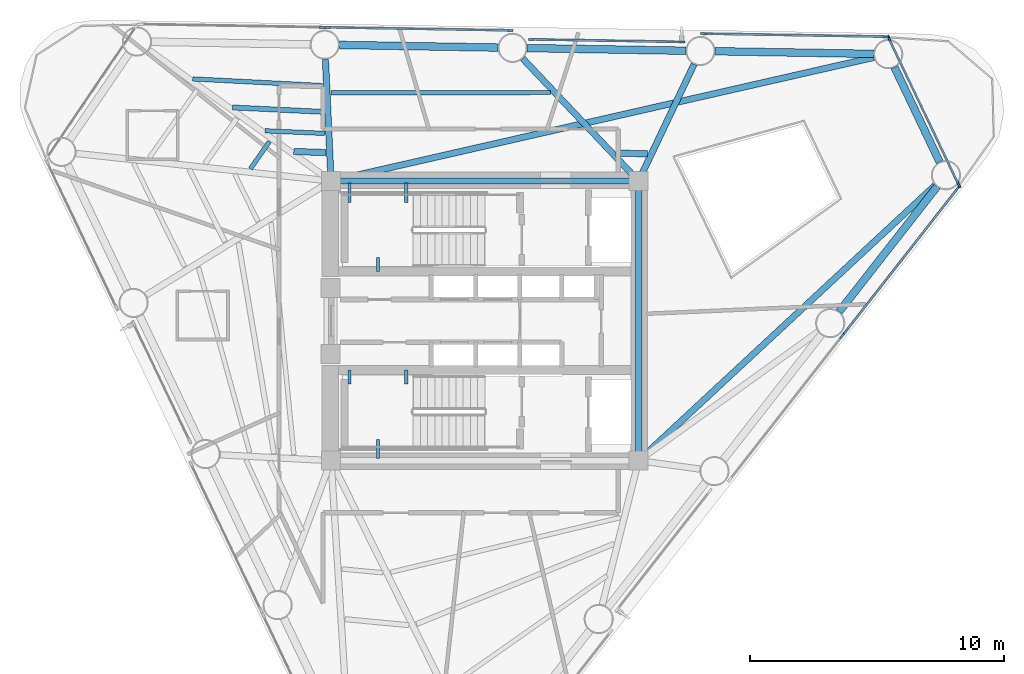
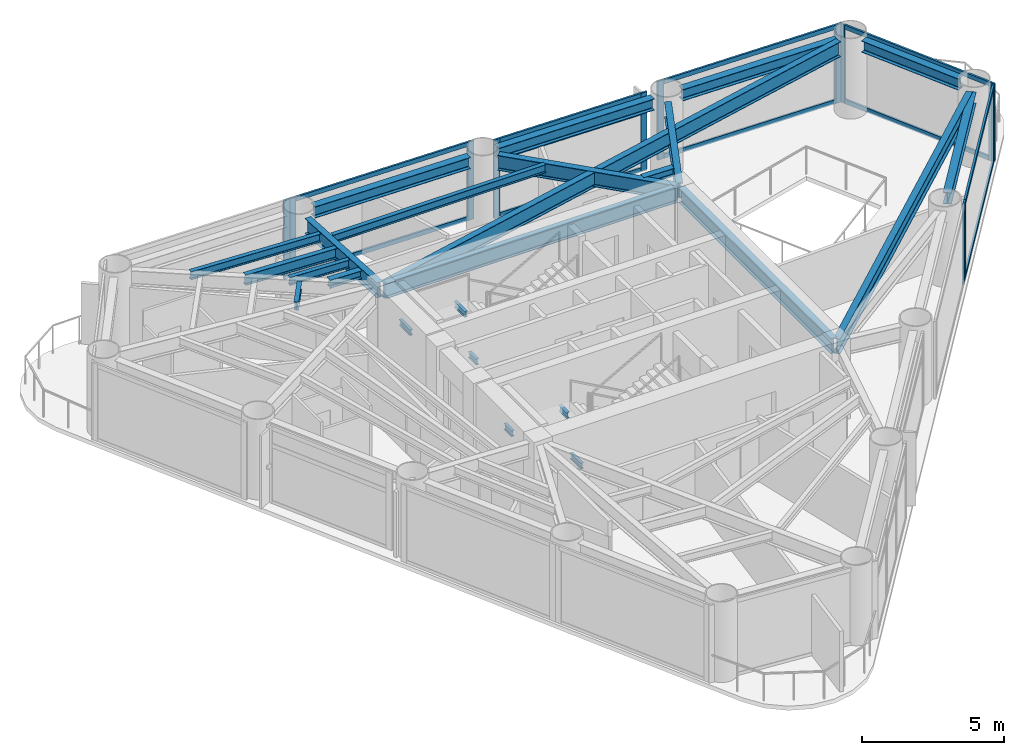
# One storey, part 3 of 9: 25 beams, 23 members, 7 elements without a shape of their own.
"""IFC4 building model written with IfcOpenShell, lengths in metres."""

from ifc_helpers import new_model, si_unit, direction, frame, origin, origin_2d, place, context, subcontext, project, spatial, rectangle, i_section, extrude, source, transform, mapped, material, layer, layer_set, material_profile, profile_set, type_object, element, aggregate, save


model = new_model("IFC4")

# Units and contexts
model_context = context("Model", 3, precision=1e-05, world=origin(), true_north=direction((0.0, 1.0)))
body_context = subcontext(model_context, "Body", "Model", "MODEL_VIEW")
ifc_project = project(units=[si_unit("LENGTHUNIT", "METRE"), si_unit("AREAUNIT", "SQUARE_METRE"), si_unit("VOLUMEUNIT", "CUBIC_METRE"), si_unit("PLANEANGLEUNIT", "RADIAN"), si_unit("MASSUNIT", "GRAM", prefix="KILO")], contexts=[model_context])

# Site, building, storey
site_placement = place(None, origin())
site = spatial("IfcSite", under=ifc_project, at=site_placement, CompositionType="ELEMENT")
building_placement = place(site_placement, origin())
building = spatial("IfcBuilding", under=site, at=building_placement, Name="Yunling Apex Tower", CompositionType="ELEMENT")
storey_placement = place(building_placement, frame((0.0, 0.0, 205.25)))
storey = spatial("IfcBuildingStorey", under=building, at=storey_placement, Name="L50", CompositionType="ELEMENT", Elevation=205.25)

# Beams
ifc_material_1 = material(Name="Steel Q355B", Category="steel")
ifc_material_profile_1 = material_profile(ifc_material_1, i_section(OverallWidth=0.125, OverallDepth=0.25, WebThickness=0.006103515625, FlangeThickness=0.009033203125, FilletRadius=0.011962890625, at=origin_2d()))
ifc_profile_set_1 = profile_set([ifc_material_profile_1], Name="Steel Q355B")
beam_type_1 = type_object("IfcBeamType", Name="BL-LNT-1", PredefinedType="LINTEL", material=ifc_profile_set_1)
shared_shape_1 = source(origin(), body_context, "Body", "SweptSolid", [
    extrude(i_section(OverallWidth=0.125, OverallDepth=0.25, WebThickness=0.006103515625, FlangeThickness=0.009033203125, FilletRadius=0.011962890625, at=origin_2d()), origin(), (0.0, 0.0, 1.0), 0.760009765625),
])
for number, where, z_axis, x_axis, name in (
    (1, (-5.320068359375, 5.419921875, 1.405029296875), (0.0, -1.0, 0.0), (1.0, 0.0, 0.0), "L50 ST-1 Landing Bearing Corbel 1-1"),
    (2, (-3.090087890625, 5.419921875, 1.405029296875), (0.0, -1.0, 0.0), (1.0, 0.0, 0.0), "L50 ST-1 Landing Bearing Corbel 1-2"),
    (3, (-4.205078125, -5.419921875, 1.405029296875), (0.0, 1.0, 0.0), (-1.0, 0.0, 0.0), "L50 ST-2 Landing Bearing Corbel 1-3"),
):
    element("IfcBeam", number, at=place(storey_placement, frame(where, z_axis=z_axis, x_axis=x_axis)), inside=storey, type_object=beam_type_1, Name=name, PredefinedType="LINTEL", context=body_context, shape_type="MappedRepresentation", body=[
        mapped(shared_shape_1, transform((0.0, 0.0, 0.0), scale=1.0)),
    ])
shared_shape_2 = source(origin(), body_context, "Body", "SweptSolid", [
    extrude(i_section(OverallWidth=0.125, OverallDepth=0.25, WebThickness=0.006103515625, FlangeThickness=0.009033203125, FilletRadius=0.011962890625, at=origin_2d()), origin(), (0.0, 0.0, 1.0), 0.550048828125),
])
for number, where, z_axis, x_axis, name in (
    (4, (-4.205078125, 1.93994140625, 1.405029296875), (0.0, 1.0, 0.0), (-1.0, 0.0, 0.0), "L50 ST-1 Landing Bearing Corbel 1-3"),
    (5, (-5.320068359375, -1.93994140625, 1.405029296875), (0.0, -1.0, 0.0), (1.0, 0.0, 0.0), "L50 ST-2 Landing Bearing Corbel 1-1"),
    (6, (-3.090087890625, -1.93994140625, 1.405029296875), (0.0, -1.0, 0.0), (1.0, 0.0, 0.0), "L50 ST-2 Landing Bearing Corbel 1-2"),
):
    element("IfcBeam", number, at=place(storey_placement, frame(where, z_axis=z_axis, x_axis=x_axis)), inside=storey, type_object=beam_type_1, Name=name, PredefinedType="LINTEL", context=body_context, shape_type="MappedRepresentation", body=[
        mapped(shared_shape_2, transform((0.0, 0.0, 0.0), scale=1.0)),
    ])
ifc_material_profile_2 = material_profile(ifc_material_1, i_section(OverallWidth=0.25, OverallDepth=0.64990234375, WebThickness=0.011962890625, FlangeThickness=0.02001953125, FilletRadius=0.02392578125, at=origin_2d()))
ifc_profile_set_2 = profile_set([ifc_material_profile_2], Name="Steel Q355B")
beam_type_2 = type_object("IfcBeamType", Name="BG-PRI-4", PredefinedType="USERDEFINED", material=ifc_profile_set_2)
shared_shape_3 = source(origin(), body_context, "Body", "SweptSolid", [
    extrude(i_section(OverallWidth=0.25, OverallDepth=0.64990234375, WebThickness=0.011962890625, FlangeThickness=0.02001953125, FilletRadius=0.02392578125, at=origin_2d()), origin(), (0.0, 0.0, 1.0), 11.7998046875),
])
beam_1_placement = place(storey_placement, frame((5.89990234375, 5.5, 2.945068359375), z_axis=(-1.0, 0.0, 0.0), x_axis=(0.0, -1.0, 0.0)))
element("IfcBeam", 7, at=beam_1_placement, inside=storey, type_object=beam_type_2, Name="L50 Core Ring Tie Beam 3", ObjectType="GIRDER", PredefinedType="USERDEFINED", context=body_context, shape_type="MappedRepresentation", body=[
    mapped(shared_shape_3, transform((0.0, 0.0, 0.0), scale=1.0)),
])
shared_shape_4 = source(origin(), body_context, "Body", "SweptSolid", [
    extrude(i_section(OverallWidth=0.25, OverallDepth=0.64990234375, WebThickness=0.011962890625, FlangeThickness=0.02001953125, FilletRadius=0.02392578125, at=origin_2d()), origin(), (0.0, 0.0, 1.0), 10.7001953125),
])
beam_2_placement = place(storey_placement, frame((6.050048828125, -5.35009765625, 2.945068359375), z_axis=(0.0, 1.0, 0.0), x_axis=(-1.0, 0.0, 0.0)))
element("IfcBeam", 8, at=beam_2_placement, inside=storey, type_object=beam_type_2, Name="L50 Core Ring Tie Beam 2", ObjectType="GIRDER", PredefinedType="USERDEFINED", context=body_context, shape_type="MappedRepresentation", body=[
    mapped(shared_shape_4, transform((0.0, 0.0, 0.0), scale=1.0)),
])
ifc_material_profile_3 = material_profile(ifc_material_1, i_section(OverallWidth=0.300048828125, OverallDepth=0.489990234375, WebThickness=0.010986328125, FlangeThickness=0.01806640625, FilletRadius=0.02197265625, at=origin_2d()))
ifc_profile_set_3 = profile_set([ifc_material_profile_3], Name="Steel Q355B")
beam_type_3 = type_object("IfcBeamType", Name="BP-SPN-2", PredefinedType="SPANDREL", material=ifc_profile_set_3)
shared_shape_5 = source(origin(), body_context, "Body", "SweptSolid", [
    extrude(i_section(OverallWidth=0.300048828125, OverallDepth=0.489990234375, WebThickness=0.010986328125, FlangeThickness=0.01806640625, FilletRadius=0.02197265625, at=origin_2d()), origin(), (0.0, 0.0, 1.0), 6.252685546875),
])
beam_3_placement = place(storey_placement, frame((13.940185546875, 0.35791015625, 3.02490234375), z_axis=(0.616211399259, 0.787580796759, 0.0), x_axis=(-0.787580796759, 0.616211399259, 0.0)))
element("IfcBeam", 9, at=beam_3_placement, inside=storey, type_object=beam_type_3, Name="L50 Perimeter Spandrel Beam 4", PredefinedType="SPANDREL", context=body_context, shape_type="MappedRepresentation", body=[
    mapped(shared_shape_5, transform((0.0, 0.0, 0.0), scale=1.0)),
])
shared_shape_6 = source(origin(), body_context, "Body", "SweptSolid", [
    extrude(i_section(OverallWidth=0.300048828125, OverallDepth=0.489990234375, WebThickness=0.010986328125, FlangeThickness=0.01806640625, FilletRadius=0.02197265625, at=origin_2d()), origin(), (0.0, 0.0, 1.0), 6.253173828125),
])
for number, where, z_axis, x_axis, name in (
    (10, (15.302978515625, 10.50341796875, 3.02490234375), (-0.999859061432, 0.016788605428, 0.0), (-0.016788605428, -0.999859061432, 0.0), "L50 Perimeter Spandrel Beam 6"),
    (11, (7.9130859375, 10.627197265625, 3.02490234375), (-0.999859061432, 0.016788605428, 0.0), (-0.016788605428, -0.999859061432, 0.0), "L50 Perimeter Spandrel Beam 7"),
    (12, (0.523193359375, 10.751220703125, 3.02490234375), (-0.99985971606, 0.016749573126, 0.0), (-0.016749573126, -0.99985971606, 0.0), "L50 Perimeter Spandrel Beam 8"),
):
    element("IfcBeam", number, at=place(storey_placement, frame(where, z_axis=z_axis, x_axis=x_axis)), inside=storey, type_object=beam_type_3, Name=name, PredefinedType="SPANDREL", context=body_context, shape_type="MappedRepresentation", body=[
        mapped(shared_shape_6, transform((0.0, 0.0, 0.0), scale=1.0)),
    ])
shared_shape_7 = source(origin(), body_context, "Body", "SweptSolid", [
    extrude(i_section(OverallWidth=0.300048828125, OverallDepth=0.489990234375, WebThickness=0.010986328125, FlangeThickness=0.01806640625, FilletRadius=0.02197265625, at=origin_2d()), origin(), (0.0, 0.0, 1.0), 4.139404296875),
])
beam_4_placement = place(storey_placement, frame((17.898681640625, 6.244140625, 3.02490234375), z_axis=(-0.430503573335, 0.902588872824, 0.0), x_axis=(-0.902588872824, -0.430503573335, 0.0)))
element("IfcBeam", 13, at=beam_4_placement, inside=storey, type_object=beam_type_3, Name="L50 Perimeter Spandrel Beam 5", PredefinedType="SPANDREL", context=body_context, shape_type="MappedRepresentation", body=[
    mapped(shared_shape_7, transform((0.0, 0.0, 0.0), scale=1.0)),
])
shared_shape_8 = source(origin(), body_context, "Body", "SweptSolid", [
    extrude(i_section(OverallWidth=0.25, OverallDepth=0.64990234375, WebThickness=0.011962890625, FlangeThickness=0.02001953125, FilletRadius=0.02392578125, at=origin_2d()), origin(), (0.0, 0.0, 1.0), 15.841064453125),
])
beam_5_placement = place(storey_placement, frame((17.716552734375, 5.333984375, 2.945068359375), z_axis=(-0.732769338977, -0.680477108986, 0.0), x_axis=(0.680477108986, -0.732769338977, 0.0)))
element("IfcBeam", 14, at=beam_5_placement, inside=storey, type_object=beam_type_2, Name="L50 Radial Primary Girder R05", ObjectType="GIRDER", PredefinedType="USERDEFINED", context=body_context, shape_type="MappedRepresentation", body=[
    mapped(shared_shape_8, transform((0.0, 0.0, 0.0), scale=1.0)),
])
shared_shape_9 = source(origin(), body_context, "Body", "SweptSolid", [
    extrude(i_section(OverallWidth=0.25, OverallDepth=0.64990234375, WebThickness=0.011962890625, FlangeThickness=0.02001953125, FilletRadius=0.02392578125, at=origin_2d()), origin(), (0.0, 0.0, 1.0), 21.820556640625),
])
beam_6_placement = place(storey_placement, frame((15.303466796875, 10.364501953125, 2.945068359375), z_axis=(-0.975020184512, -0.222116275394, 0.0), x_axis=(0.222116275394, -0.975020184512, 0.0)))
element("IfcBeam", 15, at=beam_6_placement, inside=storey, type_object=beam_type_2, Name="L50 Radial Primary Girder R06", ObjectType="GIRDER", PredefinedType="USERDEFINED", context=body_context, shape_type="MappedRepresentation", body=[
    mapped(shared_shape_9, transform((0.0, 0.0, 0.0), scale=1.0)),
])
shared_shape_10 = source(origin(), body_context, "Body", "SweptSolid", [
    extrude(i_section(OverallWidth=0.25, OverallDepth=0.64990234375, WebThickness=0.011962890625, FlangeThickness=0.02001953125, FilletRadius=0.02392578125, at=origin_2d()), origin(), (0.0, 0.0, 1.0), 5.00341796875),
])
beam_7_placement = place(storey_placement, frame((8.231689453125, 10.09130859375, 2.945068359375), z_axis=(-0.429206106824, -0.903206575411, 0.0), x_axis=(0.903206575411, -0.429206106824, 0.0)))
element("IfcBeam", 16, at=beam_7_placement, inside=storey, type_object=beam_type_2, Name="L50 Radial Primary Girder R07", ObjectType="GIRDER", PredefinedType="USERDEFINED", context=body_context, shape_type="MappedRepresentation", body=[
    mapped(shared_shape_10, transform((0.0, 0.0, 0.0), scale=1.0)),
])
shared_shape_11 = source(origin(), body_context, "Body", "SweptSolid", [
    extrude(i_section(OverallWidth=0.25, OverallDepth=0.64990234375, WebThickness=0.011962890625, FlangeThickness=0.02001953125, FilletRadius=0.02392578125, at=origin_2d()), origin(), (0.0, 0.0, 1.0), 6.552001953125),
])
beam_8_placement = place(storey_placement, frame((1.49267578125, 10.318115234375, 2.945068359375), z_axis=(0.687178062581, -0.726489029723, 0.0), x_axis=(0.726489029723, 0.687178062581, 0.0)))
element("IfcBeam", 17, at=beam_8_placement, inside=storey, type_object=beam_type_2, Name="L50 Radial Primary Girder R08", ObjectType="GIRDER", PredefinedType="USERDEFINED", context=body_context, shape_type="MappedRepresentation", body=[
    mapped(shared_shape_11, transform((0.0, 0.0, 0.0), scale=1.0)),
])
shared_shape_12 = source(origin(), body_context, "Body", "SweptSolid", [
    extrude(i_section(OverallWidth=0.25, OverallDepth=0.64990234375, WebThickness=0.011962890625, FlangeThickness=0.02001953125, FilletRadius=0.02392578125, at=origin_2d()), origin(), (0.0, 0.0, 1.0), 4.70849609375),
])
beam_9_placement = place(storey_placement, frame((-6.27099609375, 10.283203125, 2.945068359375), z_axis=(0.046148548326, -0.998934588193, 0.0), x_axis=(0.998934588193, 0.046148548326, 0.0)))
element("IfcBeam", 18, at=beam_9_placement, inside=storey, type_object=beam_type_2, Name="L50 Radial Primary Girder R09", ObjectType="GIRDER", PredefinedType="USERDEFINED", context=body_context, shape_type="MappedRepresentation", body=[
    mapped(shared_shape_12, transform((0.0, 0.0, 0.0), scale=1.0)),
])
ifc_material_profile_4 = material_profile(ifc_material_1, i_section(OverallWidth=0.25, OverallDepth=0.340087890625, WebThickness=0.009033203125, FlangeThickness=0.013916015625, FilletRadius=0.01806640625, at=origin_2d()))
ifc_profile_set_4 = profile_set([ifc_material_profile_4], Name="Steel Q355B")
beam_type_4 = type_object("IfcBeamType", Name="BJ-JST-2", PredefinedType="JOIST", material=ifc_profile_set_4)
shared_shape_13 = source(origin(), body_context, "Body", "SweptSolid", [
    extrude(i_section(OverallWidth=0.25, OverallDepth=0.340087890625, WebThickness=0.009033203125, FlangeThickness=0.013916015625, FilletRadius=0.01806640625, at=origin_2d()), origin(), (0.0, 0.0, 1.0), 1.23291015625),
])
beam_10_placement = place(storey_placement, frame((6.396728515625, 6.570556640625, 3.10009765625), z_axis=(-0.999688635189, 0.024952608565, 0.0), x_axis=(-0.024952608565, -0.999688635189, 0.0)))
element("IfcBeam", 19, at=beam_10_placement, inside=storey, type_object=beam_type_4, Name="L50 Composite Floor Joist BJ2-7", PredefinedType="JOIST", context=body_context, shape_type="MappedRepresentation", body=[
    mapped(shared_shape_13, transform((0.0, 0.0, 0.0), scale=1.0)),
])
ifc_material_profile_5 = material_profile(ifc_material_1, i_section(OverallWidth=0.175048828125, OverallDepth=0.35009765625, WebThickness=0.007080078125, FlangeThickness=0.010986328125, FilletRadius=0.013916015625, at=origin_2d()))
ifc_profile_set_5 = profile_set([ifc_material_profile_5], Name="Steel Q355B")
beam_type_5 = type_object("IfcBeamType", Name="BJ-JST-1", PredefinedType="JOIST", material=ifc_profile_set_5)
shared_shape_14 = source(origin(), body_context, "Body", "SweptSolid", [
    extrude(i_section(OverallWidth=0.175048828125, OverallDepth=0.35009765625, WebThickness=0.007080078125, FlangeThickness=0.010986328125, FilletRadius=0.013916015625, at=origin_2d()), origin(), (0.0, 0.0, 1.0), 8.643310546875),
])
beam_11_placement = place(storey_placement, frame((2.59326171875, 8.985107421875, 3.094970703125), z_axis=(-0.999997695824, -0.002146705784, 0.0), x_axis=(0.002146705784, -0.999997695824, 0.0)))
element("IfcBeam", 20, at=beam_11_placement, inside=storey, type_object=beam_type_5, Name="L50 Composite Floor Joist BJ1-8", PredefinedType="JOIST", context=body_context, shape_type="MappedRepresentation", body=[
    mapped(shared_shape_14, transform((0.0, 0.0, 0.0), scale=1.0)),
])
ifc_material_profile_6 = material_profile(ifc_material_1, i_section(OverallWidth=0.199951171875, OverallDepth=0.449951171875, WebThickness=0.009033203125, FlangeThickness=0.013916015625, FilletRadius=0.01806640625, at=origin_2d()))
ifc_profile_set_6 = profile_set([ifc_material_profile_6], Name="Steel Q355B")
beam_type_6 = type_object("IfcBeamType", Name="BS-SEC-3", PredefinedType="BEAM", material=ifc_profile_set_6)
shared_shape_15 = source(origin(), body_context, "Body", "SweptSolid", [
    extrude(i_section(OverallWidth=0.199951171875, OverallDepth=0.449951171875, WebThickness=0.009033203125, FlangeThickness=0.013916015625, FilletRadius=0.01806640625, at=origin_2d()), origin(), (0.0, 0.0, 1.0), 3.599853515625),
])
beam_12_placement = place(storey_placement, frame((-6.335205078125, 8.221435546875, 3.044921875), z_axis=(-0.998820387083, 0.048557536471, 0.0), x_axis=(-0.048557536471, -0.998820387083, 0.0)))
element("IfcBeam", 21, at=beam_12_placement, inside=storey, type_object=beam_type_6, Name="L50 Composite Floor Beam BS-9", PredefinedType="BEAM", context=body_context, shape_type="MappedRepresentation", body=[
    mapped(shared_shape_15, transform((0.0, 0.0, 0.0), scale=1.0)),
])
shared_shape_16 = source(origin(), body_context, "Body", "SweptSolid", [
    extrude(i_section(OverallWidth=0.175048828125, OverallDepth=0.35009765625, WebThickness=0.007080078125, FlangeThickness=0.010986328125, FilletRadius=0.013916015625, at=origin_2d()), origin(), (0.0, 0.0, 1.0), 5.116455078125),
])
beam_13_placement = place(storey_placement, frame((-6.3828125, 9.256591796875, 3.094970703125), z_axis=(-0.998690915519, 0.051151297728, 0.0), x_axis=(-0.051151297728, -0.998690915519, 0.0)))
element("IfcBeam", 22, at=beam_13_placement, inside=storey, type_object=beam_type_5, Name="L50 Composite Floor Joist BJ1-9", PredefinedType="JOIST", context=body_context, shape_type="MappedRepresentation", body=[
    mapped(shared_shape_16, transform((0.0, 0.0, 0.0), scale=1.0)),
])
shared_shape_17 = source(origin(), body_context, "Body", "SweptSolid", [
    extrude(i_section(OverallWidth=0.175048828125, OverallDepth=0.35009765625, WebThickness=0.007080078125, FlangeThickness=0.010986328125, FilletRadius=0.013916015625, at=origin_2d()), origin(), (0.0, 0.0, 1.0), 2.35888671875),
])
beam_14_placement = place(storey_placement, frame((-6.296142578125, 7.374267578125, 3.094970703125), z_axis=(-0.999023067934, 0.044191738321, 0.0), x_axis=(-0.044191738321, -0.999023067934, 0.0)))
element("IfcBeam", 23, at=beam_14_placement, inside=storey, type_object=beam_type_5, Name="L50 Composite Floor Joist BJ3-9", PredefinedType="JOIST", context=body_context, shape_type="MappedRepresentation", body=[
    mapped(shared_shape_17, transform((0.0, 0.0, 0.0), scale=1.0)),
])
shared_shape_18 = source(origin(), body_context, "Body", "SweptSolid", [
    extrude(i_section(OverallWidth=0.25, OverallDepth=0.340087890625, WebThickness=0.009033203125, FlangeThickness=0.013916015625, FilletRadius=0.01806640625, at=origin_2d()), origin(), (0.0, 0.0, 1.0), 1.256103515625),
])
beam_15_placement = place(storey_placement, frame((-6.261474609375, 6.6201171875, 3.10009765625), z_axis=(-0.999394634841, 0.034790283866, 0.0), x_axis=(-0.034790283866, -0.999394634841, 0.0)))
element("IfcBeam", 24, at=beam_15_placement, inside=storey, type_object=beam_type_4, Name="L50 Composite Floor Joist BJ2-9", PredefinedType="JOIST", context=body_context, shape_type="MappedRepresentation", body=[
    mapped(shared_shape_18, transform((0.0, 0.0, 0.0), scale=1.0)),
])
shared_shape_19 = source(origin(), body_context, "Body", "SweptSolid", [
    extrude(i_section(OverallWidth=0.175048828125, OverallDepth=0.35009765625, WebThickness=0.007080078125, FlangeThickness=0.010986328125, FilletRadius=0.013916015625, at=origin_2d()), origin(), (0.0, 0.0, 1.0), 1.29736328125),
])
beam_16_placement = place(storey_placement, frame((-8.478515625, 7.04833984375, 3.094970703125), z_axis=(-0.572590644925, -0.819841419632, 0.0), x_axis=(0.819841419632, -0.572590644925, 0.0)))
element("IfcBeam", 25, at=beam_16_placement, inside=storey, type_object=beam_type_5, Name="L50 Composite Floor Joist BJ3-10", PredefinedType="JOIST", context=body_context, shape_type="MappedRepresentation", body=[
    mapped(shared_shape_19, transform((0.0, 0.0, 0.0), scale=1.0)),
])

# Curtain wall, member
ifc_material_2 = material(Name="Bronze anodised aluminium", Category="aluminium")
ifc_layer = layer(ifc_material_2, 0.239990234375)
ifc_layer_set = layer_set([ifc_layer], Name="Bronze anodised aluminium")
curtain_wall_type = type_object("IfcCurtainWallType", Name="CW-SYS-3", PredefinedType="NOTDEFINED", material=ifc_layer_set)
curtain_wall_1_placement = place(storey_placement, origin())
curtain_wall_1 = element("IfcCurtainWall", 26, at=curtain_wall_1_placement, inside=storey, type_object=curtain_wall_type, Name="CW-L50-F1-B3", PredefinedType="NOTDEFINED")
ifc_material_profile_7 = material_profile(ifc_material_2, rectangle(XDim=0.080078125, YDim=0.239990234375, at=origin_2d()))
ifc_profile_set_7 = profile_set([ifc_material_profile_7], Name="Bronze anodised aluminium")
member_type_1 = type_object("IfcMemberType", Name="CW-MUL-3", PredefinedType="MULLION", material=ifc_profile_set_7)
shared_shape_20 = source(origin(), body_context, "Body", "SweptSolid", [
    extrude(rectangle(XDim=0.080078125, YDim=0.239990234375, at=origin_2d()), origin(), (0.0, 0.0, 1.0), 3.3701171875),
])
member_1_placement = place(storey_placement, frame((14.051025390625, -0.603759765625, -0.050048828125), z_axis=(0.0, 0.0, 1.0), x_axis=(-0.787589332433, 0.616200489644, 0.0)))
member_1 = element("IfcMember", 27, at=member_1_placement, type_object=member_type_1, Name="CW-SYS-3 mullion 2", PredefinedType="MULLION", context=body_context, shape_type="MappedRepresentation", body=[
    mapped(shared_shape_20, transform((0.0, 0.0, 0.0), scale=1.0)),
])
aggregate(curtain_wall_1, [member_1])

# Curtain wall, members
curtain_wall_2_placement = place(storey_placement, origin())
curtain_wall_2 = element("IfcCurtainWall", 28, at=curtain_wall_2_placement, inside=storey, type_object=curtain_wall_type, Name="CW-L50-F1-B4", PredefinedType="NOTDEFINED")
member_2_placement = place(storey_placement, frame((14.198974609375, -0.414794921875, -0.050048828125), z_axis=(0.0, 0.0, 1.0), x_axis=(-0.787589332433, 0.616200489644, 0.0)))
member_2 = element("IfcMember", 29, at=member_2_placement, type_object=member_type_1, Name="CW-SYS-3 mullion 1", PredefinedType="MULLION", context=body_context, shape_type="MappedRepresentation", body=[
    mapped(shared_shape_20, transform((0.0, 0.0, 0.0), scale=1.0)),
])
member_3_placement = place(storey_placement, frame((18.60546875, 5.21728515625, -0.050048828125), z_axis=(0.0, 0.0, 1.0), x_axis=(-0.787589332433, 0.616200489644, 0.0)))
member_3 = element("IfcMember", 30, at=member_3_placement, type_object=member_type_1, Name="CW-SYS-3 mullion 2", PredefinedType="MULLION", context=body_context, shape_type="MappedRepresentation", body=[
    mapped(shared_shape_20, transform((0.0, 0.0, 0.0), scale=1.0)),
])

curtain_wall_3_placement = place(storey_placement, origin())
curtain_wall_3 = element("IfcCurtainWall", 31, at=curtain_wall_3_placement, inside=storey, type_object=curtain_wall_type, Name="CW-L50-CRN1", PredefinedType="NOTDEFINED")
member_4_placement = place(storey_placement, frame((18.646484375, 5.360107421875, -0.050048828125), z_axis=(0.0, 0.0, 1.0), x_axis=(-0.902577581426, -0.430527245951, 0.0)))
member_4 = element("IfcMember", 32, at=member_4_placement, type_object=member_type_1, Name="CW-SYS-3 mullion 1", PredefinedType="MULLION", context=body_context, shape_type="MappedRepresentation", body=[
    mapped(shared_shape_20, transform((0.0, 0.0, 0.0), scale=1.0)),
])
member_5_placement = place(storey_placement, frame((15.89990234375, 11.11767578125, -0.050048828125), z_axis=(0.0, 0.0, 1.0), x_axis=(-0.902577581426, -0.430527245951, 0.0)))
member_5 = element("IfcMember", 33, at=member_5_placement, type_object=member_type_1, Name="CW-SYS-3 mullion 2", PredefinedType="MULLION", context=body_context, shape_type="MappedRepresentation", body=[
    mapped(shared_shape_20, transform((0.0, 0.0, 0.0), scale=1.0)),
])

curtain_wall_4_placement = place(storey_placement, origin())
curtain_wall_4 = element("IfcCurtainWall", 34, at=curtain_wall_4_placement, inside=storey, type_object=curtain_wall_type, Name="CW-L50-F2-B1", PredefinedType="NOTDEFINED")
member_6_placement = place(storey_placement, frame((15.76318359375, 11.17578125, -0.050048828125), z_axis=(0.0, 0.0, 1.0), x_axis=(-0.016761362354, -0.999859518498, 0.0)))
member_6 = element("IfcMember", 35, at=member_6_placement, type_object=member_type_1, Name="CW-SYS-3 mullion 1", PredefinedType="MULLION", context=body_context, shape_type="MappedRepresentation", body=[
    mapped(shared_shape_20, transform((0.0, 0.0, 0.0), scale=1.0)),
])
member_7_placement = place(storey_placement, frame((8.61328125, 11.295654296875, -0.050048828125), z_axis=(0.0, 0.0, 1.0), x_axis=(-0.016761362354, -0.999859518498, 0.0)))
member_7 = element("IfcMember", 36, at=member_7_placement, type_object=member_type_1, Name="CW-SYS-3 mullion 2", PredefinedType="MULLION", context=body_context, shape_type="MappedRepresentation", body=[
    mapped(shared_shape_20, transform((0.0, 0.0, 0.0), scale=1.0)),
])

curtain_wall_5_placement = place(storey_placement, origin())
curtain_wall_5 = element("IfcCurtainWall", 37, at=curtain_wall_5_placement, inside=storey, type_object=curtain_wall_type, Name="CW-L50-F2-B2", PredefinedType="NOTDEFINED")
member_8_placement = place(storey_placement, frame((7.747802734375, 10.97021484375, -0.050048828125), z_axis=(0.0, 0.0, 1.0), x_axis=(-0.016758635119, -0.999859564213, 0.0)))
member_8 = element("IfcMember", 38, at=member_8_placement, type_object=member_type_1, Name="CW-SYS-3 mullion 1", PredefinedType="MULLION", context=body_context, shape_type="MappedRepresentation", body=[
    mapped(shared_shape_20, transform((0.0, 0.0, 0.0), scale=1.0)),
])
member_9_placement = place(storey_placement, frame((1.837646484375, 11.0693359375, -0.050048828125), z_axis=(0.0, 0.0, 1.0), x_axis=(-0.016758635119, -0.999859564213, 0.0)))
member_9 = element("IfcMember", 39, at=member_9_placement, type_object=member_type_1, Name="CW-SYS-3 mullion 2", PredefinedType="MULLION", context=body_context, shape_type="MappedRepresentation", body=[
    mapped(shared_shape_20, transform((0.0, 0.0, 0.0), scale=1.0)),
])

curtain_wall_6_placement = place(storey_placement, origin())
curtain_wall_6 = element("IfcCurtainWall", 40, at=curtain_wall_6_placement, inside=storey, type_object=curtain_wall_type, Name="CW-L50-F2-B3", PredefinedType="NOTDEFINED")
member_10_placement = place(storey_placement, frame((0.9833984375, 11.423583984375, -0.050048828125), z_axis=(0.0, 0.0, 1.0), x_axis=(-0.016747305141, -0.999859754051, 0.0)))
member_10 = element("IfcMember", 41, at=member_10_placement, type_object=member_type_1, Name="CW-SYS-3 mullion 1", PredefinedType="MULLION", context=body_context, shape_type="MappedRepresentation", body=[
    mapped(shared_shape_20, transform((0.0, 0.0, 0.0), scale=1.0)),
])
member_11_placement = place(storey_placement, frame((-6.16650390625, 11.54345703125, -0.050048828125), z_axis=(0.0, 0.0, 1.0), x_axis=(-0.016747305141, -0.999859754051, 0.0)))
member_11 = element("IfcMember", 42, at=member_11_placement, type_object=member_type_1, Name="CW-SYS-3 mullion 2", PredefinedType="MULLION", context=body_context, shape_type="MappedRepresentation", body=[
    mapped(shared_shape_20, transform((0.0, 0.0, 0.0), scale=1.0)),
])

# Curtain wall, member
curtain_wall_7_placement = place(storey_placement, origin())
curtain_wall_7 = element("IfcCurtainWall", 43, at=curtain_wall_7_placement, inside=storey, type_object=curtain_wall_type, Name="CW-L50-F2-B4", PredefinedType="NOTDEFINED")
member_12_placement = place(storey_placement, frame((-6.406494140625, 11.54736328125, -0.050048828125), z_axis=(0.0, 0.0, 1.0), x_axis=(-0.016761362354, -0.999859518498, 0.0)))
member_12 = element("IfcMember", 44, at=member_12_placement, type_object=member_type_1, Name="CW-SYS-3 mullion 1", PredefinedType="MULLION", context=body_context, shape_type="MappedRepresentation", body=[
    mapped(shared_shape_20, transform((0.0, 0.0, 0.0), scale=1.0)),
])
aggregate(curtain_wall_7, [member_12])

# Member
ifc_material_profile_8 = material_profile(ifc_material_2, rectangle(XDim=0.080078125, YDim=0.18505859375, at=origin_2d()))
ifc_profile_set_8 = profile_set([ifc_material_profile_8], Name="Bronze anodised aluminium")
member_type_2 = type_object("IfcMemberType", Name="CW-TRN-3", PredefinedType="USERDEFINED", material=ifc_profile_set_8)
shared_shape_21 = source(origin(), body_context, "Body", "SweptSolid", [
    extrude(rectangle(XDim=0.080078125, YDim=0.18505859375, at=origin_2d()), origin(), (0.0, 0.0, 1.0), 5.8388671875),
])
member_13_placement = place(storey_placement, frame((7.7119140625, 10.970703125, 0.0400390625), z_axis=(-0.99985942793, 0.016766764128, 0.0), x_axis=(-0.016766764128, -0.99985942793, 0.0)))
member_13 = element("IfcMember", 45, at=member_13_placement, type_object=member_type_2, Name="CW-SYS-3 transom 1.1", ObjectType="TRANSOM", PredefinedType="USERDEFINED", context=body_context, shape_type="MappedRepresentation", body=[
    mapped(shared_shape_21, transform((0.0, 0.0, 0.0), scale=1.0)),
])

member_14_placement = place(storey_placement, frame((7.7119140625, 10.970703125, 2.485107421875), z_axis=(-0.99985942793, 0.016766764128, 0.0), x_axis=(-0.016766764128, -0.99985942793, 0.0)))
member_14 = element("IfcMember", 46, at=member_14_placement, type_object=member_type_2, Name="CW-SYS-3 transom 1.2", ObjectType="TRANSOM", PredefinedType="USERDEFINED", context=body_context, shape_type="MappedRepresentation", body=[
    mapped(shared_shape_21, transform((0.0, 0.0, 0.0), scale=1.0)),
])

member_15_placement = place(storey_placement, frame((7.7119140625, 10.970703125, 3.22998046875), z_axis=(-0.99985942793, 0.016766764128, 0.0), x_axis=(-0.016766764128, -0.99985942793, 0.0)))
member_15 = element("IfcMember", 47, at=member_15_placement, type_object=member_type_2, Name="CW-SYS-3 transom 1.3", ObjectType="TRANSOM", PredefinedType="USERDEFINED", context=body_context, shape_type="MappedRepresentation", body=[
    mapped(shared_shape_21, transform((0.0, 0.0, 0.0), scale=1.0)),
])

aggregate(curtain_wall_5, [member_8, member_9, member_13, member_14, member_15])

shared_shape_22 = source(origin(), body_context, "Body", "SweptSolid", [
    extrude(rectangle(XDim=0.080078125, YDim=0.18505859375, at=origin_2d()), origin(), (0.0, 0.0, 1.0), 7.0791015625),
])
member_16_placement = place(storey_placement, frame((14.22119140625, -0.386474609375, 0.0400390625), z_axis=(0.616192015574, 0.78759596237, 0.0), x_axis=(-0.78759596237, 0.616192015574, 0.0)))
member_16 = element("IfcMember", 48, at=member_16_placement, type_object=member_type_2, Name="CW-SYS-3 transom 1.1", ObjectType="TRANSOM", PredefinedType="USERDEFINED", context=body_context, shape_type="MappedRepresentation", body=[
    mapped(shared_shape_22, transform((0.0, 0.0, 0.0), scale=1.0)),
])

member_17_placement = place(storey_placement, frame((14.22119140625, -0.386474609375, 3.22998046875), z_axis=(0.616192015574, 0.78759596237, 0.0), x_axis=(-0.78759596237, 0.616192015574, 0.0)))
member_17 = element("IfcMember", 49, at=member_17_placement, type_object=member_type_2, Name="CW-SYS-3 transom 1.2", ObjectType="TRANSOM", PredefinedType="USERDEFINED", context=body_context, shape_type="MappedRepresentation", body=[
    mapped(shared_shape_22, transform((0.0, 0.0, 0.0), scale=1.0)),
])

aggregate(curtain_wall_2, [member_2, member_3, member_16, member_17])

member_18_placement = place(storey_placement, frame((15.727294921875, 11.176513671875, 0.0400390625), z_axis=(-0.999859526413, 0.01676089024, 0.0), x_axis=(-0.01676089024, -0.999859526413, 0.0)))
member_18 = element("IfcMember", 50, at=member_18_placement, type_object=member_type_2, Name="CW-SYS-3 transom 1.1", ObjectType="TRANSOM", PredefinedType="USERDEFINED", context=body_context, shape_type="MappedRepresentation", body=[
    mapped(shared_shape_22, transform((0.0, 0.0, 0.0), scale=1.0)),
])

member_19_placement = place(storey_placement, frame((15.727294921875, 11.176513671875, 3.22998046875), z_axis=(-0.999859526413, 0.01676089024, 0.0), x_axis=(-0.01676089024, -0.999859526413, 0.0)))
member_19 = element("IfcMember", 51, at=member_19_placement, type_object=member_type_2, Name="CW-SYS-3 transom 1.2", ObjectType="TRANSOM", PredefinedType="USERDEFINED", context=body_context, shape_type="MappedRepresentation", body=[
    mapped(shared_shape_22, transform((0.0, 0.0, 0.0), scale=1.0)),
])

aggregate(curtain_wall_4, [member_6, member_7, member_18, member_19])

member_20_placement = place(storey_placement, frame((0.947509765625, 11.42431640625, 0.0400390625), z_axis=(-0.999860103777, 0.01672641247, 0.0), x_axis=(-0.01672641247, -0.999860103777, 0.0)))
member_20 = element("IfcMember", 52, at=member_20_placement, type_object=member_type_2, Name="CW-SYS-3 transom 1.1", ObjectType="TRANSOM", PredefinedType="USERDEFINED", context=body_context, shape_type="MappedRepresentation", body=[
    mapped(shared_shape_22, transform((0.0, 0.0, 0.0), scale=1.0)),
])

member_21_placement = place(storey_placement, frame((0.947509765625, 11.42431640625, 3.22998046875), z_axis=(-0.999860103777, 0.01672641247, 0.0), x_axis=(-0.01672641247, -0.999860103777, 0.0)))
member_21 = element("IfcMember", 53, at=member_21_placement, type_object=member_type_2, Name="CW-SYS-3 transom 1.2", ObjectType="TRANSOM", PredefinedType="USERDEFINED", context=body_context, shape_type="MappedRepresentation", body=[
    mapped(shared_shape_22, transform((0.0, 0.0, 0.0), scale=1.0)),
])

aggregate(curtain_wall_6, [member_10, member_11, member_20, member_21])

shared_shape_23 = source(origin(), body_context, "Body", "SweptSolid", [
    extrude(rectangle(XDim=0.080078125, YDim=0.18505859375, at=origin_2d()), origin(), (0.0, 0.0, 1.0), 6.30712890625),
])
member_22_placement = place(storey_placement, frame((18.630859375, 5.392578125, 0.0400390625), z_axis=(-0.430522496716, 0.902579846784, 0.0), x_axis=(-0.902579846784, -0.430522496716, 0.0)))
member_22 = element("IfcMember", 54, at=member_22_placement, type_object=member_type_2, Name="CW-SYS-3 transom 1.1", ObjectType="TRANSOM", PredefinedType="USERDEFINED", context=body_context, shape_type="MappedRepresentation", body=[
    mapped(shared_shape_23, transform((0.0, 0.0, 0.0), scale=1.0)),
])

member_23_placement = place(storey_placement, frame((18.630859375, 5.392578125, 3.22998046875), z_axis=(-0.430522496716, 0.902579846784, 0.0), x_axis=(-0.902579846784, -0.430522496716, 0.0)))
member_23 = element("IfcMember", 55, at=member_23_placement, type_object=member_type_2, Name="CW-SYS-3 transom 1.2", ObjectType="TRANSOM", PredefinedType="USERDEFINED", context=body_context, shape_type="MappedRepresentation", body=[
    mapped(shared_shape_23, transform((0.0, 0.0, 0.0), scale=1.0)),
])

aggregate(curtain_wall_3, [member_4, member_5, member_22, member_23])

save(model, "model.ifc")
